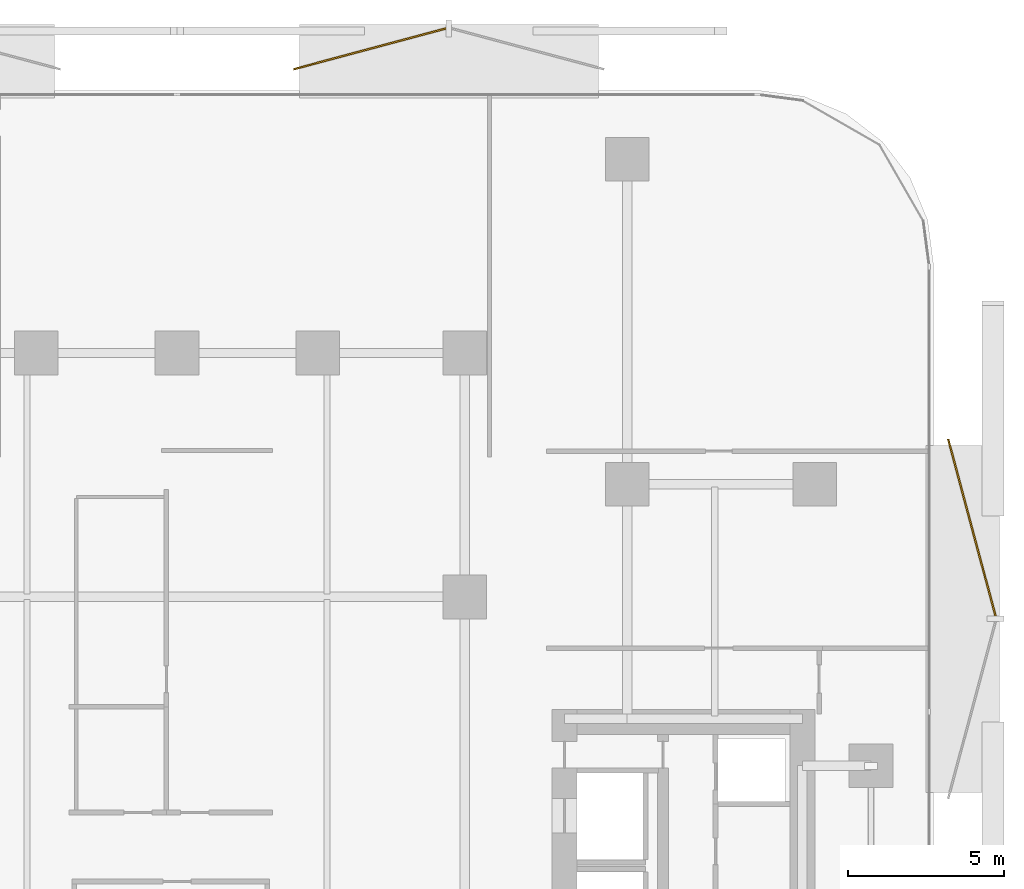
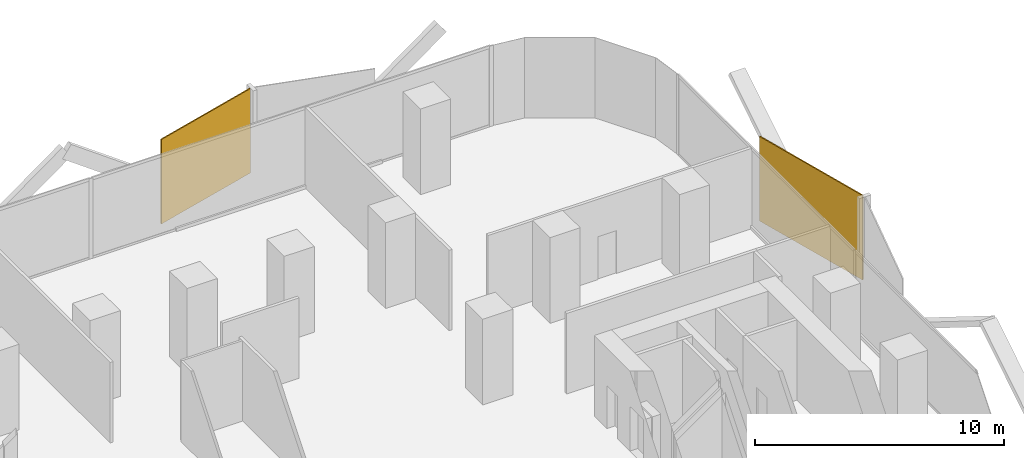
# One storey, part 15 of 15: 2 coverings.
"""IFC4 building model written with IfcOpenShell, lengths in metres."""

from ifc_helpers import new_model, si_unit, direction, frame, origin, origin_2d, place, context, subcontext, project, spatial, rectangle, extrude, material, layer, layer_set, type_object, element, save


model = new_model("IFC4")

# Units and contexts
model_context = context("Model", 3, precision=1e-05, world=origin(), true_north=direction((0.0, 1.0)))
body_context = subcontext(model_context, "Body", "Model", "MODEL_VIEW")
ifc_project = project(units=[si_unit("LENGTHUNIT", "METRE"), si_unit("AREAUNIT", "SQUARE_METRE"), si_unit("VOLUMEUNIT", "CUBIC_METRE"), si_unit("PLANEANGLEUNIT", "RADIAN"), si_unit("MASSUNIT", "GRAM", prefix="KILO")], contexts=[model_context])

# Site, building, storey
site_placement = place(None, origin())
site = spatial("IfcSite", under=ifc_project, at=site_placement, CompositionType="ELEMENT")
building_placement = place(site_placement, origin())
building = spatial("IfcBuilding", under=site, at=building_placement, Name="Khairoan Windgate Tower", CompositionType="ELEMENT")
storey_placement = place(building_placement, frame((0.0, 0.0, 47.0)))
storey = spatial("IfcBuildingStorey", under=building, at=storey_placement, Name="L11", CompositionType="ELEMENT", Elevation=47.0)

# Coverings
ifc_material = material(Name="Anodised Bronze Aluminium 6063-T6", Category="aluminium")
ifc_layer = layer(ifc_material, 0.054931640625, Name="Anodised Bronze Aluminium 6063-T6")
ifc_layer_set = layer_set([ifc_layer], Name="Anodised Bronze Aluminium 6063-T6")
covering_type = type_object("IfcCoveringType", Name="Perforated Bronze-Ceramic Folded Solar Screen Cladding BSC-1", PredefinedType="CLADDING", material=ifc_layer_set)
covering_1_placement = place(storey_placement, frame((6.169921875, 28.327392578125, -0.10009765625), z_axis=(0.0, 0.0, 1.0), x_axis=(0.965925826289, 0.258819045103, 0.0)))
element("IfcCovering", 1, at=covering_1_placement, inside=storey, type_object=covering_type, Name="L11 Folded Bronze Solar Screen Facet 46L", PredefinedType="CLADDING", context=body_context, shape_type="SweptSolid", body=[
    extrude(rectangle(XDim=5.04296875, YDim=0.054931640625, at=origin_2d()), origin(), (0.0, 0.0, 1.0), 4.139892578125),
])
covering_2_placement = place(storey_placement, frame((25.42236328125, 13.01318359375, -0.10009765625), z_axis=(0.0, 0.0, 1.0), x_axis=(0.258819045103, -0.965925826289, 0.0)))
element("IfcCovering", 2, at=covering_2_placement, inside=storey, type_object=covering_type, Name="L11 Folded Bronze Solar Screen Facet 47L", PredefinedType="CLADDING", context=body_context, shape_type="SweptSolid", body=[
    extrude(rectangle(XDim=5.85498046875, YDim=0.054931640625, at=origin_2d()), origin(), (0.0, 0.0, 1.0), 4.139892578125),
])

save(model, "model.ifc")
